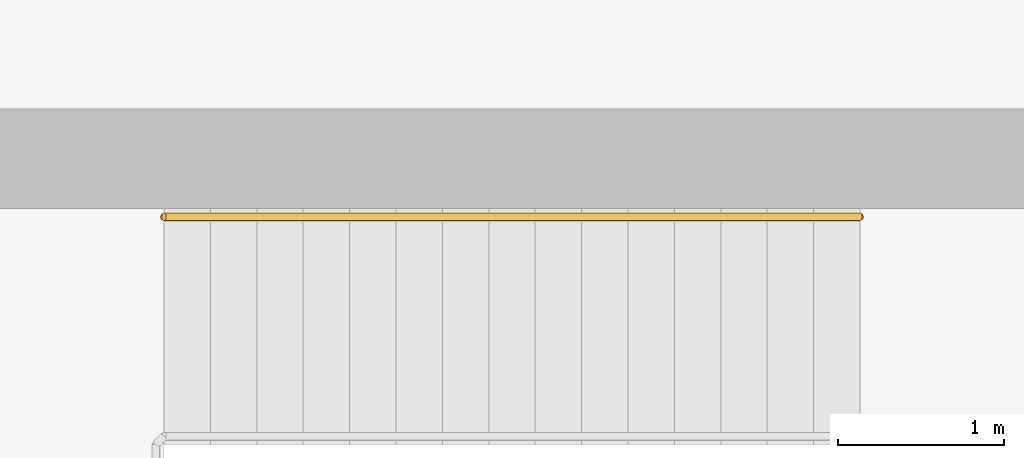
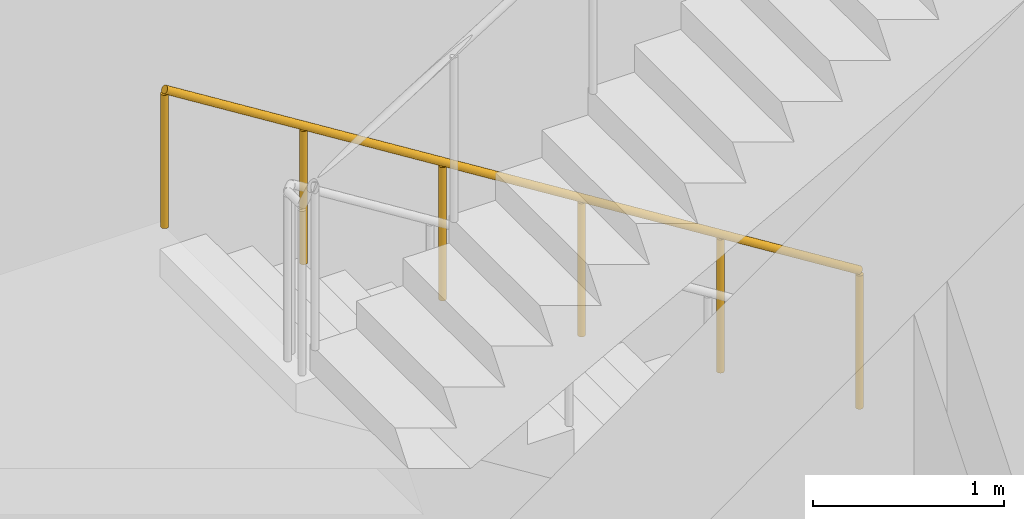
# One storey, part 64 of 65: 1 railing.
"""IFC4 building model written with IfcOpenShell, lengths in metres."""

from ifc_helpers import new_model, si_unit, direction, frame, origin, origin_2d, place, context, subcontext, project, spatial, circle, extrude, material, type_object, element, save


model = new_model("IFC4")

# Units and contexts
model_context = context("Model", 3, precision=1e-05, world=origin(), true_north=direction((0.0, 1.0)))
body_context = subcontext(model_context, "Body", "Model", "MODEL_VIEW")
ifc_project = project(units=[si_unit("LENGTHUNIT", "METRE"), si_unit("AREAUNIT", "SQUARE_METRE"), si_unit("VOLUMEUNIT", "CUBIC_METRE"), si_unit("PLANEANGLEUNIT", "RADIAN"), si_unit("MASSUNIT", "GRAM", prefix="KILO")], contexts=[model_context])

# Site, building, storey
site_placement = place(None, origin())
site = spatial("IfcSite", under=ifc_project, at=site_placement, CompositionType="ELEMENT")
building_placement = place(site_placement, origin())
building = spatial("IfcBuilding", under=site, at=building_placement, Name="Nagisa Residences", CompositionType="ELEMENT")
storey_placement = place(building_placement, frame((0.0, 0.0, 114.0)))
storey = spatial("IfcBuildingStorey", under=building, at=storey_placement, Name="L28", CompositionType="ELEMENT", Elevation=114.0)

# Railing
ifc_material = material(Name="Stainless steel", Category="steel")
railing_type = type_object("IfcRailingType", Name="Stair handrail 900", PredefinedType="HANDRAIL", material=ifc_material)
railing_placement = place(storey_placement, frame((2.47509765625, 9.974609375, 0.175048828125)))
element("IfcRailing", 1, at=railing_placement, inside=storey, type_object=railing_type, Name="L28 ST-N stair handrail 1", PredefinedType="HANDRAIL", context=body_context, shape_type="SweptSolid", body=[
    extrude(circle(Radius=0.02392578125, at=origin_2d()), frame((0.0, 0.0, 0.8759765625), z_axis=(-0.848009380541, 0.0, 0.529981217134), x_axis=(0.0, -1.0, 0.0)), (0.0, 0.0, 1.0), 4.953125),
    extrude(circle(Radius=0.02099609375, at=origin_2d()), origin(), (0.0, 0.0, 1.0), 0.851806640625),
    extrude(circle(Radius=0.02099609375, at=origin_2d()), frame((-0.840087890625, 0.0, 0.52490234375)), (0.0, 0.0, 1.0), 0.851806640625),
    extrude(circle(Radius=0.02099609375, at=origin_2d()), frame((-1.68017578125, 0.0, 1.050048828125)), (0.0, 0.0, 1.0), 0.851806640625),
    extrude(circle(Radius=0.02099609375, at=origin_2d()), frame((-2.52001953125, 0.0, 1.574951171875)), (0.0, 0.0, 1.0), 0.851806640625),
    extrude(circle(Radius=0.02099609375, at=origin_2d()), frame((-3.360107421875, 0.0, 2.10009765625)), (0.0, 0.0, 1.0), 0.851806640625),
    extrude(circle(Radius=0.02099609375, at=origin_2d()), frame((-4.2001953125, 0.0, 2.625)), (0.0, 0.0, 1.0), 0.851806640625),
])

save(model, "model.ifc")
